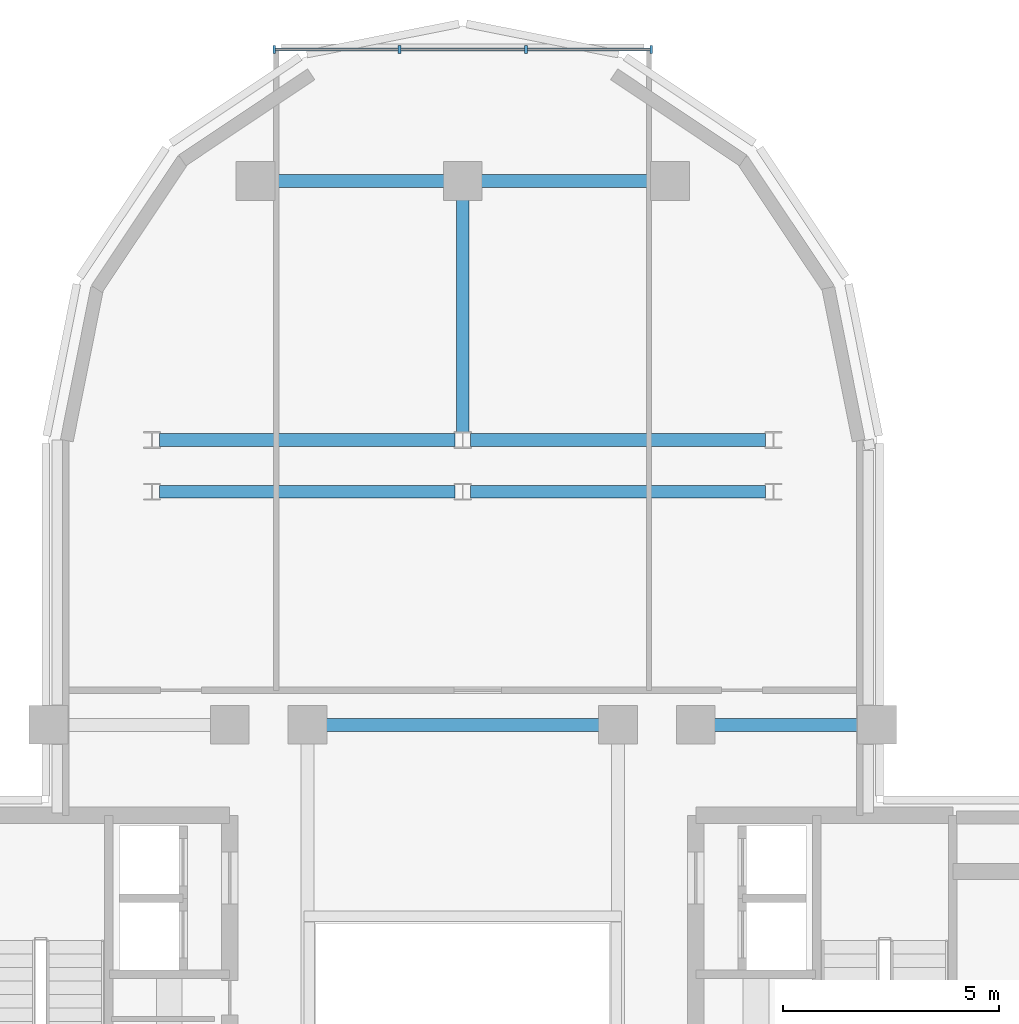
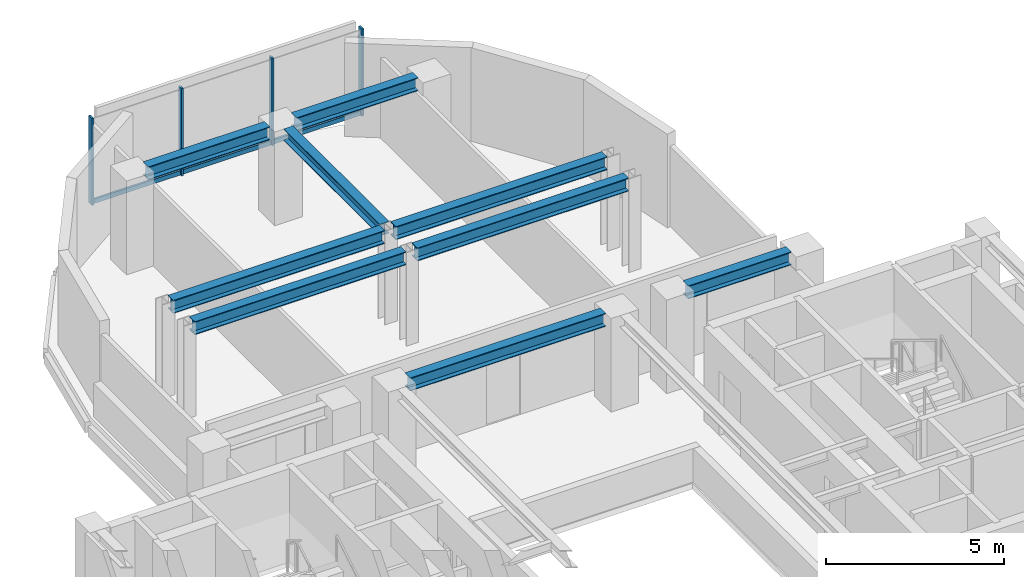
# One storey, part 4 of 11: 9 beams, 7 members, 1 element without a shape of its own.
"""IFC4 building model written with IfcOpenShell, lengths in metres."""

import ifcopenshell
import ifcopenshell.guid

model = None  # the IFC model being written
_history = None  # IfcOwnerHistory: only IFC2X3 demands one
_inside = {}  # id of a spatial element -> (the spatial element, [elements in it])
_under = {}  # id of a project, library or spatial element -> (it, [spatial elements below it])
_declared = {}  # id of a project -> (the project, [libraries it declares])
_typed = {}  # id of a type object -> (the type object, [elements of that type])
_made_of = {}  # id of a material, layer set ... -> (it, [elements and type objects made of it])


def new_model(schema):
    """Start an empty IFC model of exactly this schema.

    Asked for "IFC4X3", IfcOpenShell would pick the latest addendum, in which some entities
    have other attributes; the version numbers below select the first issue.
    IFC2X3 requires an IfcOwnerHistory on every rooted entity: one is made here for all.
    """
    global model, _history
    if schema == "IFC4X3":
        model = ifcopenshell.file(schema_version=(4, 3, 0, 0))
    else:
        model = ifcopenshell.file(schema=schema)
    _inside.clear()
    _under.clear()
    _declared.clear()
    _typed.clear()
    _made_of.clear()
    _history = None
    if model.schema == "IFC2X3":
        org = make("IfcOrganization", Name="unknown")
        user = make(
            "IfcPersonAndOrganization",
            ThePerson=make("IfcPerson", FamilyName="unknown"),
            TheOrganization=org,
        )
        app = make(
            "IfcApplication",
            ApplicationDeveloper=org,
            Version="unknown",
            ApplicationFullName="unknown",
            ApplicationIdentifier="unknown",
        )
        _history = make(
            "IfcOwnerHistory",
            OwningUser=user,
            OwningApplication=app,
            ChangeAction="ADDED",
            CreationDate=0,
        )
    return model


def make(cls, **values):
    """One entity of the class cls with the attributes given. An attribute that is None is left unset."""
    return model.create_entity(
        cls, **{name: value for name, value in values.items() if value is not None}
    )


def rooted(cls, **values):
    """An entity with a GlobalId (a new one), such as an element, a storey or a relation."""
    return make(cls, GlobalId=ifcopenshell.guid.new(), OwnerHistory=_history, **values)


def si_unit(unit_type, name, prefix=None):
    """IfcSIUnit, for example si_unit("LENGTHUNIT", "METRE", prefix="MILLI")."""
    return make("IfcSIUnit", UnitType=unit_type, Prefix=prefix, Name=name)


def assignment(units):
    """IfcUnitAssignment: the units of a project."""
    return None if units is None else make("IfcUnitAssignment", Units=units)


def point(xyz):
    """IfcCartesianPoint."""
    return None if xyz is None else make("IfcCartesianPoint", Coordinates=xyz)


def direction(xyz):
    """IfcDirection."""
    return None if xyz is None else make("IfcDirection", DirectionRatios=xyz)


def frame(location, z_axis=None, x_axis=None):
    """IfcAxis2Placement3D, a coordinate frame: its origin and axes. An axis left out is left unset."""
    return make(
        "IfcAxis2Placement3D",
        Location=point(location),
        Axis=direction(z_axis),
        RefDirection=direction(x_axis),
    )


def frame_2d(location, x_axis=None):
    """IfcAxis2Placement2D, a coordinate frame in the plane: its origin and x axis."""
    return make(
        "IfcAxis2Placement2D", Location=point(location), RefDirection=direction(x_axis)
    )


def origin():
    """The frame at (0, 0, 0) with its axes left unset."""
    return frame((0.0, 0.0, 0.0))


def origin_2d():
    """The frame at (0, 0) in the plane with its x axis left unset."""
    return frame_2d((0.0, 0.0))


def place(relative_to, where):
    """IfcLocalPlacement: puts the frame where relative to a parent placement (None: the world)."""
    return make(
        "IfcLocalPlacement", PlacementRelTo=relative_to, RelativePlacement=where
    )


def context(
    kind, dimensions, precision=None, world=None, true_north=None, identifier=None
):
    """IfcGeometricRepresentationContext, for example the 3D "Model" context."""
    return make(
        "IfcGeometricRepresentationContext",
        ContextIdentifier=identifier,
        ContextType=kind,
        CoordinateSpaceDimension=dimensions,
        Precision=precision,
        WorldCoordinateSystem=world,
        TrueNorth=true_north,
    )


def subcontext(parent, identifier, kind, view, scale=None):
    """IfcGeometricRepresentationSubContext, for example "Body" below "Model"."""
    return make(
        "IfcGeometricRepresentationSubContext",
        ContextIdentifier=identifier,
        ContextType=kind,
        ParentContext=parent,
        TargetScale=scale,
        TargetView=view,
    )


def project(units=None, contexts=None):
    """IfcProject with its units and contexts."""
    return rooted(
        "IfcProject",
        Name="project",
        RepresentationContexts=contexts,
        UnitsInContext=assignment(units),
    )


def spatial(cls, under=None, at=None, **own):
    """A site, building, storey or space (cls), placed at a placement, below another one or the project."""
    s = rooted(cls, ObjectPlacement=at, **own)
    if under is not None:
        _under.setdefault(under.id(), (under, []))[1].append(s)
    return s


def profile(cls, at=None, kind="AREA", **sizes):
    """A parametric profile (cls). Its sizes go by their IFC names, for example OverallWidth=200.0."""
    return make(cls, ProfileType=kind, Position=at, **sizes)


def rectangle(**sizes):
    """IfcRectangleProfileDef."""
    return profile("IfcRectangleProfileDef", **sizes)


def i_section(**sizes):
    """IfcIShapeProfileDef."""
    return profile("IfcIShapeProfileDef", **sizes)


def extrude(swept, where, along, depth):
    """IfcExtrudedAreaSolid: the profile swept, set in the frame where, extruded along a direction by depth."""
    return make(
        "IfcExtrudedAreaSolid",
        SweptArea=swept,
        Position=where,
        ExtrudedDirection=direction(along),
        Depth=depth,
    )


def shape(context_of_items, identifier, shape_type, items):
    """IfcShapeRepresentation: the items that make up one representation, for example the "Body"."""
    return make(
        "IfcShapeRepresentation",
        ContextOfItems=context_of_items,
        RepresentationIdentifier=identifier,
        RepresentationType=shape_type,
        Items=items,
    )


def source(mapping_origin, context_of_items, identifier, shape_type, items):
    """IfcRepresentationMap: a shape defined once, which mapped items show again and again."""
    return make(
        "IfcRepresentationMap",
        MappingOrigin=mapping_origin,
        MappedRepresentation=shape(context_of_items, identifier, shape_type, items),
    )


def transform(
    local_origin,
    x_axis=None,
    y_axis=None,
    z_axis=None,
    scale=None,
    scale2=None,
    scale3=None,
    uniform=True,
):
    """IfcCartesianTransformationOperator3D, or its non-uniform kind. x_axis, y_axis, z_axis: its Axis1, 2, 3."""
    if uniform:
        return make(
            "IfcCartesianTransformationOperator3D",
            Axis1=direction(x_axis),
            Axis2=direction(y_axis),
            LocalOrigin=point(local_origin),
            Scale=scale,
            Axis3=direction(z_axis),
        )
    return make(
        "IfcCartesianTransformationOperator3DnonUniform",
        Axis1=direction(x_axis),
        Axis2=direction(y_axis),
        LocalOrigin=point(local_origin),
        Scale=scale,
        Axis3=direction(z_axis),
        Scale2=scale2,
        Scale3=scale3,
    )


def mapped(mapping_source, mapping_target):
    """IfcMappedItem: shows the shape of a source again, moved by a transform."""
    return make(
        "IfcMappedItem", MappingSource=mapping_source, MappingTarget=mapping_target
    )


def material(Name=None, Category=None):
    """IfcMaterial."""
    return make("IfcMaterial", Name=Name, Category=Category)


def material_profile(
    of_material, cross_section, Name=None, Category=None, Priority=None
):
    """IfcMaterialProfile: a cross section and its material."""
    return make(
        "IfcMaterialProfile",
        Name=Name,
        Material=of_material,
        Profile=cross_section,
        Priority=Priority,
        Category=Category,
    )


def profile_set(profiles, Name=None, composite=None):
    """IfcMaterialProfileSet."""
    return make(
        "IfcMaterialProfileSet",
        Name=Name,
        MaterialProfiles=profiles,
        CompositeProfile=composite,
    )


def made_of(thing, what):
    """Note that an element or type object is made of a material, layer set ...; save() writes the relation."""
    if what is not None:
        _made_of.setdefault(what.id(), (what, []))[1].append(thing)
    return thing


def type_object(cls, material=None, **own):
    """A type object (cls), such as IfcWallType, which elements share."""
    return made_of(rooted(cls, **own), material)


def element(
    cls,
    number,
    at=None,
    inside=None,
    cuts=None,
    type_object=None,
    material=None,
    context=None,
    identifier="Body",
    shape_type=None,
    held_by="IfcProductDefinitionShape",
    body=None,
    shapes=None,
    **own,
):
    """One element of the class cls, such as IfcWall. Its Tag is "e" and its number.

    at: its placement. inside: the storey or other place that contains it. cuts: it is an
    opening in that element (IfcRelVoidsElement). A single representation is given by context,
    identifier, shape_type and body (its items); several are given by shapes. held_by: the class
    of the entity that holds the representations. save() writes the other relations.
    """
    e = rooted(cls, Tag="e%d" % number, ObjectPlacement=at, **own)
    if body is not None:
        shapes = [shape(context, identifier, shape_type, body)]
    if shapes is not None:
        e.Representation = make(held_by, Representations=shapes)
    if inside is not None:
        _inside.setdefault(inside.id(), (inside, []))[1].append(e)
    if cuts is not None:
        rooted(
            "IfcRelVoidsElement", RelatingBuildingElement=cuts, RelatedOpeningElement=e
        )
    if type_object is not None:
        _typed.setdefault(type_object.id(), (type_object, []))[1].append(e)
    return made_of(e, material)


def aggregate(whole, parts):
    """IfcRelAggregates: a whole, such as a stair, and the parts it consists of."""
    return rooted("IfcRelAggregates", RelatingObject=whole, RelatedObjects=parts)


def save(model, path):
    """Write the relations noted so far, then the file.

    IfcRelAggregates (storeys below a building ...), IfcRelContainedInSpatialStructure (elements
    in a storey), IfcRelDefinesByType, IfcRelAssociatesMaterial and IfcRelDeclares: one each for
    every whole, place, type object, material and project.
    """
    for whole, parts in _under.values():
        aggregate(whole, parts)
    for where, things in _inside.values():
        rooted(
            "IfcRelContainedInSpatialStructure",
            RelatedElements=things,
            RelatingStructure=where,
        )
    for kind, things in _typed.values():
        rooted("IfcRelDefinesByType", RelatedObjects=things, RelatingType=kind)
    for what, things in _made_of.values():
        rooted("IfcRelAssociatesMaterial", RelatedObjects=things, RelatingMaterial=what)
    for by, libraries in _declared.values():
        rooted("IfcRelDeclares", RelatingContext=by, RelatedDefinitions=libraries)
    model.write(path)


model = new_model("IFC4")

# Units and contexts
model_context = context("Model", 3, precision=1e-05, world=origin(), true_north=direction((0.0, 1.0)))
body_context = subcontext(model_context, "Body", "Model", "MODEL_VIEW")
ifc_project = project(units=[si_unit("LENGTHUNIT", "METRE"), si_unit("AREAUNIT", "SQUARE_METRE"), si_unit("VOLUMEUNIT", "CUBIC_METRE"), si_unit("PLANEANGLEUNIT", "RADIAN"), si_unit("MASSUNIT", "GRAM", prefix="KILO")], contexts=[model_context])

# Site, building, storey
site_placement = place(None, origin())
site = spatial("IfcSite", under=ifc_project, at=site_placement, CompositionType="ELEMENT")
building_placement = place(site_placement, origin())
building = spatial("IfcBuilding", under=site, at=building_placement, Name="Keilestroom Media Tower", CompositionType="ELEMENT")
storey_placement = place(building_placement, frame((0.0, 0.0, 180.800048828125)))
storey = spatial("IfcBuildingStorey", under=building, at=storey_placement, Name="L49", CompositionType="ELEMENT", Elevation=180.800048828125)

# Beams
ifc_material_1 = material(Name="Steel S355", Category="steel")
ifc_material_profile_1 = material_profile(ifc_material_1, i_section(OverallWidth=0.300048828125, OverallDepth=0.449951171875, WebThickness=0.011962890625, FlangeThickness=0.02587890625, at=origin_2d()), Name="HEB 450")
ifc_profile_set_1 = profile_set([ifc_material_profile_1], Name="Steel S355")
beam_type_1 = type_object("IfcBeamType", Name="Primary-Structural-Girder-HEB-450", PredefinedType="BEAM", material=ifc_profile_set_1)
shared_shape_1 = source(origin(), body_context, "Body", "SweptSolid", [
    extrude(i_section(OverallWidth=0.300048828125, OverallDepth=0.449951171875, WebThickness=0.011962890625, FlangeThickness=0.02587890625, at=origin_2d()), origin(), (0.0, 0.0, 1.0), 3.940185546875),
])
for number, where, z_axis, x_axis, name in (
    (1, (-4.3701171875, 21.60009765625, 2.974853515625), (1.0, 0.0, 0.0), (0.0, 1.0, 0.0), "L49 Beam BG-7 BM-L49-EW-029"),
    (2, (0.429931640625, 21.60009765625, 2.974853515625), (1.0, 0.0, 0.0), (0.0, 1.0, 0.0), "L49 Beam BG-7 BM-L49-EW-030"),
):
    element("IfcBeam", number, at=place(storey_placement, frame(where, z_axis=z_axis, x_axis=x_axis)), inside=storey, type_object=beam_type_1, Name=name, PredefinedType="BEAM", context=body_context, shape_type="MappedRepresentation", body=[
        mapped(shared_shape_1, transform((0.0, 0.0, 0.0), x_axis=(1.0, 0.0, 0.0), y_axis=(0.0, 1.0, 0.0), z_axis=(0.0, 0.0, 1.0), scale=1.0)),
    ])
shared_shape_2 = source(origin(), body_context, "Body", "SweptSolid", [
    extrude(i_section(OverallWidth=0.300048828125, OverallDepth=0.449951171875, WebThickness=0.011962890625, FlangeThickness=0.02587890625, at=origin_2d()), origin(), (0.0, 0.0, 1.0), 6.842041015625),
])
for number, where, z_axis, x_axis, name in (
    (3, (-7.02099609375, 14.39990234375, 2.974853515625), (1.0, 0.0, 0.0), (0.0, 1.0, 0.0), "L49 Beam BG-7 BM-L49-EW-025"),
    (4, (0.178955078125, 14.39990234375, 2.974853515625), (1.0, 0.0, 0.0), (0.0, 1.0, 0.0), "L49 Beam BG-7 BM-L49-EW-026"),
    (5, (-7.02099609375, 15.60009765625, 2.974853515625), (1.0, 0.0, 0.0), (0.0, 1.0, 0.0), "L49 Beam BG-7 BM-L49-EW-027"),
    (6, (0.178955078125, 15.60009765625, 2.974853515625), (1.0, 0.0, 0.0), (0.0, 1.0, 0.0), "L49 Beam BG-7 BM-L49-EW-028"),
):
    element("IfcBeam", number, at=place(storey_placement, frame(where, z_axis=z_axis, x_axis=x_axis)), inside=storey, type_object=beam_type_1, Name=name, PredefinedType="BEAM", context=body_context, shape_type="MappedRepresentation", body=[
        mapped(shared_shape_2, transform((0.0, 0.0, 0.0), x_axis=(1.0, 0.0, 0.0), y_axis=(0.0, 1.0, 0.0), z_axis=(0.0, 0.0, 1.0), scale=1.0)),
    ])
shared_shape_3 = source(origin(), body_context, "Body", "SweptSolid", [
    extrude(i_section(OverallWidth=0.300048828125, OverallDepth=0.449951171875, WebThickness=0.011962890625, FlangeThickness=0.02587890625, at=origin_2d()), origin(), (0.0, 0.0, 1.0), 3.33984375),
])
beam_1_placement = place(storey_placement, frame((5.830078125, 9.0, 2.974853515625), z_axis=(1.0, 0.0, 0.0), x_axis=(0.0, 1.0, 0.0)))
element("IfcBeam", 7, at=beam_1_placement, inside=storey, type_object=beam_type_1, Name="L49 Beam BG-7 BM-L49-EW-024", PredefinedType="BEAM", context=body_context, shape_type="MappedRepresentation", body=[
    mapped(shared_shape_3, transform((0.0, 0.0, 0.0), x_axis=(1.0, 0.0, 0.0), y_axis=(0.0, 1.0, 0.0), z_axis=(0.0, 0.0, 1.0), scale=1.0)),
])
shared_shape_4 = source(origin(), body_context, "Body", "SweptSolid", [
    extrude(i_section(OverallWidth=0.300048828125, OverallDepth=0.449951171875, WebThickness=0.011962890625, FlangeThickness=0.02587890625, at=origin_2d()), origin(), (0.0, 0.0, 1.0), 6.33984375),
])
beam_2_placement = place(storey_placement, frame((-3.169921875, 9.0, 2.974853515625), z_axis=(1.0, 0.0, 0.0), x_axis=(0.0, 1.0, 0.0)))
element("IfcBeam", 8, at=beam_2_placement, inside=storey, type_object=beam_type_1, Name="L49 Beam BG-7 BM-L49-EW-022", PredefinedType="BEAM", context=body_context, shape_type="MappedRepresentation", body=[
    mapped(shared_shape_4, transform((0.0, 0.0, 0.0), x_axis=(1.0, 0.0, 0.0), y_axis=(0.0, 1.0, 0.0), z_axis=(0.0, 0.0, 1.0), scale=1.0)),
])
ifc_material_profile_2 = material_profile(ifc_material_1, i_section(OverallWidth=0.300048828125, OverallDepth=0.39990234375, WebThickness=0.011474609375, FlangeThickness=0.02392578125, at=origin_2d()), Name="HEB 400")
ifc_profile_set_2 = profile_set([ifc_material_profile_2], Name="Steel S355")
beam_type_2 = type_object("IfcBeamType", Name="Primary-Structural-Girder-HEB-400", PredefinedType="BEAM", material=ifc_profile_set_2)
shared_shape_5 = source(origin(), body_context, "Body", "SweptSolid", [
    extrude(i_section(OverallWidth=0.300048828125, OverallDepth=0.39990234375, WebThickness=0.011474609375, FlangeThickness=0.02392578125, at=origin_2d()), origin(), (0.0, 0.0, 1.0), 5.396484375),
])
beam_3_placement = place(storey_placement, frame((0.0, 15.7734375, 3.0), z_axis=(0.0, 1.0, 0.0), x_axis=(-1.0, 0.0, 0.0)))
element("IfcBeam", 9, at=beam_3_placement, inside=storey, type_object=beam_type_2, Name="L49 Beam BG-8 BM-L49-NS-044", PredefinedType="BEAM", context=body_context, shape_type="MappedRepresentation", body=[
    mapped(shared_shape_5, transform((0.0, 0.0, 0.0), x_axis=(1.0, 0.0, 0.0), y_axis=(0.0, 1.0, 0.0), z_axis=(0.0, 0.0, 1.0), scale=1.0)),
])

# Curtain wall, members
ifc_material_2 = material(Name="Anodised Aluminium Alloy", Category="aluminium")
curtain_wall_type = type_object("IfcCurtainWallType", Name="Unitised-Curtain-Wall-CW-6", PredefinedType="NOTDEFINED", material=ifc_material_2)
curtain_wall_placement = place(storey_placement, origin())
curtain_wall = element("IfcCurtainWall", 10, at=curtain_wall_placement, inside=storey, type_object=curtain_wall_type, Name="L49 Curtain Wall CW-6 CW-L49-LN-1", PredefinedType="NOTDEFINED")
ifc_material_profile_3 = material_profile(ifc_material_2, rectangle(XDim=0.06494140625, YDim=0.179931640625, at=origin_2d()), Name="ALU MULLION 65x180")
ifc_profile_set_3 = profile_set([ifc_material_profile_3], Name="Anodised Aluminium Alloy")
member_type_1 = type_object("IfcMemberType", Name="Curtain-Wall-Mullion-CW-6", PredefinedType="MULLION", material=ifc_profile_set_3)
shared_shape_6 = source(origin(), body_context, "Body", "SweptSolid", [
    extrude(rectangle(XDim=0.06494140625, YDim=0.179931640625, at=origin_2d()), origin(), (0.0, 0.0, 1.0), 2.97998046875),
])
member_1_placement = place(storey_placement, frame((-4.367431640625, 24.64990234375, 0.0), z_axis=(0.0, 0.0, 1.0), x_axis=(1.0, 0.0, 0.0)))
member_1 = element("IfcMember", 11, at=member_1_placement, type_object=member_type_1, Name="CW-6 Mullion 00", PredefinedType="MULLION", context=body_context, shape_type="MappedRepresentation", body=[
    mapped(shared_shape_6, transform((0.0, 0.0, 0.0), x_axis=(1.0, 0.0, 0.0), y_axis=(0.0, 1.0, 0.0), z_axis=(0.0, 0.0, 1.0), scale=1.0)),
])
member_2_placement = place(storey_placement, frame((-1.466796875, 24.64990234375, 0.0), z_axis=(0.0, 0.0, 1.0), x_axis=(1.0, 0.0, 0.0)))
member_2 = element("IfcMember", 12, at=member_2_placement, type_object=member_type_1, Name="CW-6 Mullion 01", PredefinedType="MULLION", context=body_context, shape_type="MappedRepresentation", body=[
    mapped(shared_shape_6, transform((0.0, 0.0, 0.0), x_axis=(1.0, 0.0, 0.0), y_axis=(0.0, 1.0, 0.0), z_axis=(0.0, 0.0, 1.0), scale=1.0)),
])
member_3_placement = place(storey_placement, frame((1.466796875, 24.64990234375, 0.0), z_axis=(0.0, 0.0, 1.0), x_axis=(1.0, 0.0, 0.0)))
member_3 = element("IfcMember", 13, at=member_3_placement, type_object=member_type_1, Name="CW-6 Mullion 02", PredefinedType="MULLION", context=body_context, shape_type="MappedRepresentation", body=[
    mapped(shared_shape_6, transform((0.0, 0.0, 0.0), x_axis=(1.0, 0.0, 0.0), y_axis=(0.0, 1.0, 0.0), z_axis=(0.0, 0.0, 1.0), scale=1.0)),
])
member_4_placement = place(storey_placement, frame((4.367431640625, 24.64990234375, 0.0), z_axis=(0.0, 0.0, 1.0), x_axis=(1.0, 0.0, 0.0)))
member_4 = element("IfcMember", 14, at=member_4_placement, type_object=member_type_1, Name="CW-6 Mullion 03", PredefinedType="MULLION", context=body_context, shape_type="MappedRepresentation", body=[
    mapped(shared_shape_6, transform((0.0, 0.0, 0.0), x_axis=(1.0, 0.0, 0.0), y_axis=(0.0, 1.0, 0.0), z_axis=(0.0, 0.0, 1.0), scale=1.0)),
])
ifc_material_profile_4 = material_profile(ifc_material_2, rectangle(XDim=0.06494140625, YDim=0.14990234375, at=origin_2d()), Name="ALU TRANSOM 65x150")
ifc_profile_set_4 = profile_set([ifc_material_profile_4], Name="Anodised Aluminium Alloy")
member_type_2 = type_object("IfcMemberType", Name="Curtain-Wall-Transom-CW-6", PredefinedType="USERDEFINED", material=ifc_profile_set_4)
shared_shape_7 = source(origin(), body_context, "Body", "SweptSolid", [
    extrude(rectangle(XDim=0.06494140625, YDim=0.14990234375, at=origin_2d()), origin(), (0.0, 0.0, 1.0), 2.839599609375),
])
member_5_placement = place(storey_placement, frame((-4.3369140625, 24.64990234375, 0.074951171875), z_axis=(1.0, 0.0, 0.0), x_axis=(0.0, 1.0, 0.0)))
member_5 = element("IfcMember", 15, at=member_5_placement, type_object=member_type_2, Name="CW-6 Transom 00.1", ObjectType="TRANSOM", PredefinedType="USERDEFINED", context=body_context, shape_type="MappedRepresentation", body=[
    mapped(shared_shape_7, transform((0.0, 0.0, 0.0), x_axis=(1.0, 0.0, 0.0), y_axis=(0.0, 1.0, 0.0), z_axis=(0.0, 0.0, 1.0), scale=1.0)),
])
member_6_placement = place(storey_placement, frame((1.497314453125, 24.64990234375, 0.074951171875), z_axis=(1.0, 0.0, 0.0), x_axis=(0.0, 1.0, 0.0)))
member_6 = element("IfcMember", 16, at=member_6_placement, type_object=member_type_2, Name="CW-6 Transom 02.1", ObjectType="TRANSOM", PredefinedType="USERDEFINED", context=body_context, shape_type="MappedRepresentation", body=[
    mapped(shared_shape_7, transform((0.0, 0.0, 0.0), x_axis=(1.0, 0.0, 0.0), y_axis=(0.0, 1.0, 0.0), z_axis=(0.0, 0.0, 1.0), scale=1.0)),
])
shared_shape_8 = source(origin(), body_context, "Body", "SweptSolid", [
    extrude(rectangle(XDim=0.06494140625, YDim=0.14990234375, at=origin_2d()), origin(), (0.0, 0.0, 1.0), 2.87255859375),
])
member_7_placement = place(storey_placement, frame((-1.436279296875, 24.64990234375, 0.074951171875), z_axis=(1.0, 0.0, 0.0), x_axis=(0.0, 1.0, 0.0)))
member_7 = element("IfcMember", 17, at=member_7_placement, type_object=member_type_2, Name="CW-6 Transom 01.1", ObjectType="TRANSOM", PredefinedType="USERDEFINED", context=body_context, shape_type="MappedRepresentation", body=[
    mapped(shared_shape_8, transform((0.0, 0.0, 0.0), x_axis=(1.0, 0.0, 0.0), y_axis=(0.0, 1.0, 0.0), z_axis=(0.0, 0.0, 1.0), scale=1.0)),
])
aggregate(curtain_wall, [member_1, member_2, member_3, member_4, member_5, member_7, member_6])

save(model, "model.ifc")
